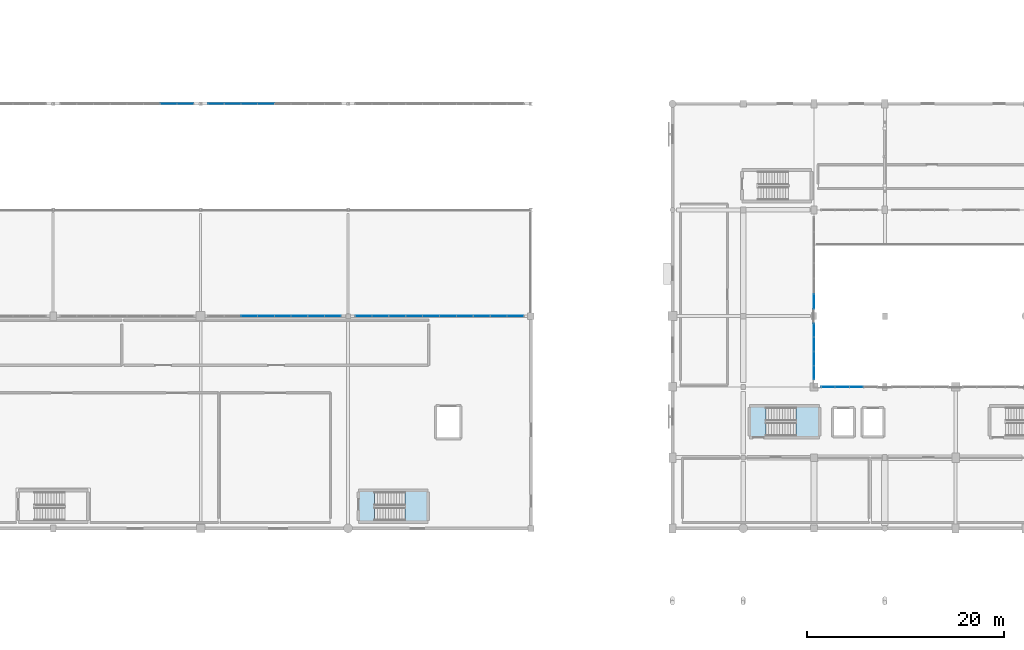
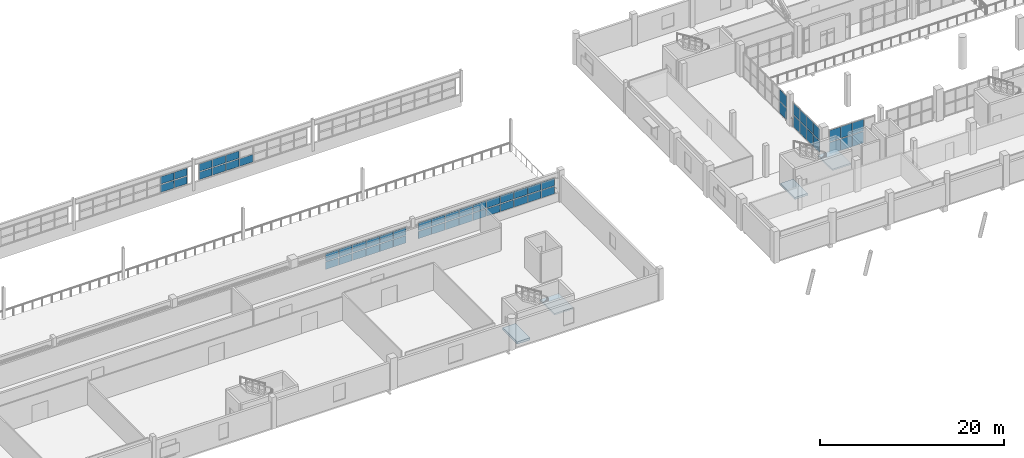
# One storey, part 53 of 92: 59 plates, 4 slabs, 9 elements without a shape of their own.
"""IFC4 building model written with IfcOpenShell, lengths in metres."""

from ifc_helpers import new_model, si_unit, direction, frame, origin, origin_2d, place, context, subcontext, project, spatial, polyline, rectangle, outline, extrude, material, layer, layer_set, type_object, element, aggregate, save


model = new_model("IFC4")

# Units and contexts
model_context = context("Model", 3, precision=1e-05, world=origin(), true_north=direction((0.0, 1.0)))
body_context = subcontext(model_context, "Body", "Model", "MODEL_VIEW")
ifc_project = project(units=[si_unit("LENGTHUNIT", "METRE"), si_unit("AREAUNIT", "SQUARE_METRE"), si_unit("VOLUMEUNIT", "CUBIC_METRE"), si_unit("PLANEANGLEUNIT", "RADIAN"), si_unit("MASSUNIT", "GRAM", prefix="KILO")], contexts=[model_context])

# Site, building, storey
site_placement = place(None, origin())
site = spatial("IfcSite", under=ifc_project, at=site_placement, CompositionType="ELEMENT")
building_placement = place(site_placement, origin())
building = spatial("IfcBuilding", under=site, at=building_placement, Name="Solanera Park Tramway Depot", CompositionType="ELEMENT")
storey_placement = place(building_placement, frame((0.0, 0.0, 4.800048828125)))
storey = spatial("IfcBuildingStorey", under=building, at=storey_placement, Name="L01", CompositionType="ELEMENT", Elevation=4.800048828125)

# Curtain wall, plates
ifc_material_1 = material(Name="Bronze-anodised thermally broken aluminium curtain wall", Category="aluminium")
curtain_wall_type_1 = type_object("IfcCurtainWallType", Name="Courtyard Cloister Unitised Curtain Wall", PredefinedType="NOTDEFINED", material=ifc_material_1)
curtain_wall_1_placement = place(storey_placement, origin())
curtain_wall_1 = element("IfcCurtainWall", 1, at=curtain_wall_1_placement, inside=storey, type_object=curtain_wall_type_1, Name="L01 Courtyard Cloister Unitised Curtain Wall #088", PredefinedType="NOTDEFINED")
ifc_material_2 = material(Name="Low-E laminated solar-control double glazing", Category="glass")
ifc_layer_1 = layer(ifc_material_2, 0.028076171875)
ifc_layer_set_1 = layer_set([ifc_layer_1], Name="Low-E laminated solar-control double glazing")
plate_type = type_object("IfcPlateType", Name="Curtain Wall Double Glazing Panel 28", PredefinedType="CURTAIN_PANEL", material=ifc_layer_set_1)
plate_1_placement = place(storey_placement, frame((123.84130859375, 25.199951171875, 0.11181640625), z_axis=(0.0, 0.0, 1.0), x_axis=(1.0, 0.0, 0.0)))
plate_1 = element("IfcPlate", 2, at=plate_1_placement, type_object=plate_type, Name="CW-L01-088 Glazing Panel R1.C1", PredefinedType="CURTAIN_PANEL", context=body_context, shape_type="SweptSolid", body=[
    extrude(rectangle(XDim=1.365478515625, YDim=0.028076171875, at=origin_2d()), origin(), (0.0, 0.0, 1.0), 1.510986328125),
])
plate_2_placement = place(storey_placement, frame((125.27490234375, 25.199951171875, 0.11181640625), z_axis=(0.0, 0.0, 1.0), x_axis=(1.0, 0.0, 0.0)))
plate_2 = element("IfcPlate", 3, at=plate_2_placement, type_object=plate_type, Name="CW-L01-088 Glazing Panel R1.C2", PredefinedType="CURTAIN_PANEL", context=body_context, shape_type="SweptSolid", body=[
    extrude(rectangle(XDim=1.39794921875, YDim=0.028076171875, at=origin_2d()), origin(), (0.0, 0.0, 1.0), 1.510986328125),
])
plate_3_placement = place(storey_placement, frame((126.72509765625, 25.199951171875, 0.11181640625), z_axis=(0.0, 0.0, 1.0), x_axis=(1.0, 0.0, 0.0)))
plate_3 = element("IfcPlate", 4, at=plate_3_placement, type_object=plate_type, Name="CW-L01-088 Glazing Panel R1.C3", PredefinedType="CURTAIN_PANEL", context=body_context, shape_type="SweptSolid", body=[
    extrude(rectangle(XDim=1.39794921875, YDim=0.028076171875, at=origin_2d()), origin(), (0.0, 0.0, 1.0), 1.510986328125),
])
plate_4_placement = place(storey_placement, frame((123.84130859375, 25.199951171875, 1.72705078125), z_axis=(0.0, 0.0, 1.0), x_axis=(1.0, 0.0, 0.0)))
plate_4 = element("IfcPlate", 5, at=plate_4_placement, type_object=plate_type, Name="CW-L01-088 Glazing Panel R2.C1", PredefinedType="CURTAIN_PANEL", context=body_context, shape_type="SweptSolid", body=[
    extrude(rectangle(XDim=1.365478515625, YDim=0.028076171875, at=origin_2d()), origin(), (0.0, 0.0, 1.0), 1.510986328125),
])
plate_5_placement = place(storey_placement, frame((125.27490234375, 25.199951171875, 1.72705078125), z_axis=(0.0, 0.0, 1.0), x_axis=(1.0, 0.0, 0.0)))
plate_5 = element("IfcPlate", 6, at=plate_5_placement, type_object=plate_type, Name="CW-L01-088 Glazing Panel R2.C2", PredefinedType="CURTAIN_PANEL", context=body_context, shape_type="SweptSolid", body=[
    extrude(rectangle(XDim=1.39794921875, YDim=0.028076171875, at=origin_2d()), origin(), (0.0, 0.0, 1.0), 1.510986328125),
])
plate_6_placement = place(storey_placement, frame((126.72509765625, 25.199951171875, 1.72705078125), z_axis=(0.0, 0.0, 1.0), x_axis=(1.0, 0.0, 0.0)))
plate_6 = element("IfcPlate", 7, at=plate_6_placement, type_object=plate_type, Name="CW-L01-088 Glazing Panel R2.C3", PredefinedType="CURTAIN_PANEL", context=body_context, shape_type="SweptSolid", body=[
    extrude(rectangle(XDim=1.39794921875, YDim=0.028076171875, at=origin_2d()), origin(), (0.0, 0.0, 1.0), 1.510986328125),
])
aggregate(curtain_wall_1, [plate_1, plate_2, plate_3, plate_4, plate_5, plate_6])

curtain_wall_2_placement = place(storey_placement, origin())
curtain_wall_2 = element("IfcCurtainWall", 8, at=curtain_wall_2_placement, inside=storey, type_object=curtain_wall_type_1, Name="L01 Courtyard Cloister Unitised Curtain Wall #100", PredefinedType="NOTDEFINED")
plate_7_placement = place(storey_placement, frame((122.39990234375, 26.64111328125, 0.11181640625), z_axis=(0.0, 0.0, 1.0), x_axis=(0.0, 1.0, 0.0)))
plate_7 = element("IfcPlate", 9, at=plate_7_placement, type_object=plate_type, Name="CW-L01-100 Glazing Panel R1.C1", PredefinedType="CURTAIN_PANEL", context=body_context, shape_type="SweptSolid", body=[
    extrude(rectangle(XDim=1.365478515625, YDim=0.028076171875, at=origin_2d()), origin(), (0.0, 0.0, 1.0), 1.510986328125),
])
plate_8_placement = place(storey_placement, frame((122.39990234375, 28.074951171875, 0.11181640625), z_axis=(0.0, 0.0, 1.0), x_axis=(0.0, 1.0, 0.0)))
plate_8 = element("IfcPlate", 10, at=plate_8_placement, type_object=plate_type, Name="CW-L01-100 Glazing Panel R1.C2", PredefinedType="CURTAIN_PANEL", context=body_context, shape_type="SweptSolid", body=[
    extrude(rectangle(XDim=1.39794921875, YDim=0.028076171875, at=origin_2d()), origin(), (0.0, 0.0, 1.0), 1.510986328125),
])
plate_9_placement = place(storey_placement, frame((122.39990234375, 29.52490234375, 0.11181640625), z_axis=(0.0, 0.0, 1.0), x_axis=(0.0, 1.0, 0.0)))
plate_9 = element("IfcPlate", 11, at=plate_9_placement, type_object=plate_type, Name="CW-L01-100 Glazing Panel R1.C3", PredefinedType="CURTAIN_PANEL", context=body_context, shape_type="SweptSolid", body=[
    extrude(rectangle(XDim=1.39794921875, YDim=0.028076171875, at=origin_2d()), origin(), (0.0, 0.0, 1.0), 1.510986328125),
])
plate_10_placement = place(storey_placement, frame((122.39990234375, 30.958740234375, 0.11181640625), z_axis=(0.0, 0.0, 1.0), x_axis=(0.0, 1.0, 0.0)))
plate_10 = element("IfcPlate", 12, at=plate_10_placement, type_object=plate_type, Name="CW-L01-100 Glazing Panel R1.C4", PredefinedType="CURTAIN_PANEL", context=body_context, shape_type="SweptSolid", body=[
    extrude(rectangle(XDim=1.365478515625, YDim=0.028076171875, at=origin_2d()), origin(), (0.0, 0.0, 1.0), 1.510986328125),
])
plate_11_placement = place(storey_placement, frame((122.39990234375, 26.64111328125, 1.72705078125), z_axis=(0.0, 0.0, 1.0), x_axis=(0.0, 1.0, 0.0)))
plate_11 = element("IfcPlate", 13, at=plate_11_placement, type_object=plate_type, Name="CW-L01-100 Glazing Panel R2.C1", PredefinedType="CURTAIN_PANEL", context=body_context, shape_type="SweptSolid", body=[
    extrude(rectangle(XDim=1.365478515625, YDim=0.028076171875, at=origin_2d()), origin(), (0.0, 0.0, 1.0), 1.510986328125),
])
plate_12_placement = place(storey_placement, frame((122.39990234375, 28.074951171875, 1.72705078125), z_axis=(0.0, 0.0, 1.0), x_axis=(0.0, 1.0, 0.0)))
plate_12 = element("IfcPlate", 14, at=plate_12_placement, type_object=plate_type, Name="CW-L01-100 Glazing Panel R2.C2", PredefinedType="CURTAIN_PANEL", context=body_context, shape_type="SweptSolid", body=[
    extrude(rectangle(XDim=1.39794921875, YDim=0.028076171875, at=origin_2d()), origin(), (0.0, 0.0, 1.0), 1.510986328125),
])
plate_13_placement = place(storey_placement, frame((122.39990234375, 29.52490234375, 1.72705078125), z_axis=(0.0, 0.0, 1.0), x_axis=(0.0, 1.0, 0.0)))
plate_13 = element("IfcPlate", 15, at=plate_13_placement, type_object=plate_type, Name="CW-L01-100 Glazing Panel R2.C3", PredefinedType="CURTAIN_PANEL", context=body_context, shape_type="SweptSolid", body=[
    extrude(rectangle(XDim=1.39794921875, YDim=0.028076171875, at=origin_2d()), origin(), (0.0, 0.0, 1.0), 1.510986328125),
])
plate_14_placement = place(storey_placement, frame((122.39990234375, 30.958740234375, 1.72705078125), z_axis=(0.0, 0.0, 1.0), x_axis=(0.0, 1.0, 0.0)))
plate_14 = element("IfcPlate", 16, at=plate_14_placement, type_object=plate_type, Name="CW-L01-100 Glazing Panel R2.C4", PredefinedType="CURTAIN_PANEL", context=body_context, shape_type="SweptSolid", body=[
    extrude(rectangle(XDim=1.365478515625, YDim=0.028076171875, at=origin_2d()), origin(), (0.0, 0.0, 1.0), 1.510986328125),
])
aggregate(curtain_wall_2, [plate_7, plate_8, plate_9, plate_10, plate_11, plate_12, plate_13, plate_14])

curtain_wall_3_placement = place(storey_placement, origin())
curtain_wall_3 = element("IfcCurtainWall", 17, at=curtain_wall_3_placement, inside=storey, type_object=curtain_wall_type_1, Name="L01 Courtyard Cloister Unitised Curtain Wall #102", PredefinedType="NOTDEFINED")
plate_15_placement = place(storey_placement, frame((122.39990234375, 33.899658203125, 0.11181640625), z_axis=(0.0, 0.0, 1.0), x_axis=(0.0, 1.0, 0.0)))
plate_15 = element("IfcPlate", 18, at=plate_15_placement, type_object=plate_type, Name="CW-L01-102 Glazing Panel R1.C1", PredefinedType="CURTAIN_PANEL", context=body_context, shape_type="SweptSolid", body=[
    extrude(rectangle(XDim=1.482177734375, YDim=0.028076171875, at=origin_2d()), origin(), (0.0, 0.0, 1.0), 1.510986328125),
])
plate_16_placement = place(storey_placement, frame((122.39990234375, 33.899658203125, 1.72705078125), z_axis=(0.0, 0.0, 1.0), x_axis=(0.0, 1.0, 0.0)))
plate_16 = element("IfcPlate", 19, at=plate_16_placement, type_object=plate_type, Name="CW-L01-102 Glazing Panel R2.C1", PredefinedType="CURTAIN_PANEL", context=body_context, shape_type="SweptSolid", body=[
    extrude(rectangle(XDim=1.482177734375, YDim=0.028076171875, at=origin_2d()), origin(), (0.0, 0.0, 1.0), 1.510986328125),
])
aggregate(curtain_wall_3, [plate_15, plate_16])

ifc_material_3 = material(Name="Bronze-anodised thermally broken aluminium curtain wall", Category="aluminium")
curtain_wall_type_2 = type_object("IfcCurtainWallType", Name="Workshop Daylight Ribbon Curtain Wall", PredefinedType="NOTDEFINED", material=ifc_material_3)
curtain_wall_4_placement = place(storey_placement, origin())
curtain_wall_4 = element("IfcCurtainWall", 20, at=curtain_wall_4_placement, inside=storey, type_object=curtain_wall_type_2, Name="L01 Workshop Daylight Ribbon Curtain Wall #146", PredefinedType="NOTDEFINED")
plate_17_placement = place(storey_placement, frame((58.43359375, 54.0, 1.11181640625), z_axis=(0.0, 0.0, 1.0), x_axis=(-1.0, 0.0, 0.0)))
plate_17 = element("IfcPlate", 21, at=plate_17_placement, type_object=plate_type, Name="CW-L01-146 Glazing Panel R1.C1", PredefinedType="CURTAIN_PANEL", context=body_context, shape_type="SweptSolid", body=[
    extrude(rectangle(XDim=1.615478515625, YDim=0.028076171875, at=origin_2d()), origin(), (0.0, 0.0, 1.0), 0.986083984375),
])
plate_18_placement = place(storey_placement, frame((56.75, 54.0, 1.11181640625), z_axis=(0.0, 0.0, 1.0), x_axis=(-1.0, 0.0, 0.0)))
plate_18 = element("IfcPlate", 22, at=plate_18_placement, type_object=plate_type, Name="CW-L01-146 Glazing Panel R1.C2", PredefinedType="CURTAIN_PANEL", context=body_context, shape_type="SweptSolid", body=[
    extrude(rectangle(XDim=1.64794921875, YDim=0.028076171875, at=origin_2d()), origin(), (0.0, 0.0, 1.0), 0.986083984375),
])
plate_19_placement = place(storey_placement, frame((58.43359375, 54.0, 2.2021484375), z_axis=(0.0, 0.0, 1.0), x_axis=(-1.0, 0.0, 0.0)))
plate_19 = element("IfcPlate", 23, at=plate_19_placement, type_object=plate_type, Name="CW-L01-146 Glazing Panel R2.C1", PredefinedType="CURTAIN_PANEL", context=body_context, shape_type="SweptSolid", body=[
    extrude(rectangle(XDim=1.615478515625, YDim=0.028076171875, at=origin_2d()), origin(), (0.0, 0.0, 1.0), 0.986083984375),
])
plate_20_placement = place(storey_placement, frame((56.75, 54.0, 2.2021484375), z_axis=(0.0, 0.0, 1.0), x_axis=(-1.0, 0.0, 0.0)))
plate_20 = element("IfcPlate", 24, at=plate_20_placement, type_object=plate_type, Name="CW-L01-146 Glazing Panel R2.C2", PredefinedType="CURTAIN_PANEL", context=body_context, shape_type="SweptSolid", body=[
    extrude(rectangle(XDim=1.64794921875, YDim=0.028076171875, at=origin_2d()), origin(), (0.0, 0.0, 1.0), 0.986083984375),
])
aggregate(curtain_wall_4, [plate_17, plate_18, plate_19, plate_20])

curtain_wall_5_placement = place(storey_placement, origin())
curtain_wall_5 = element("IfcCurtainWall", 25, at=curtain_wall_5_placement, inside=storey, type_object=curtain_wall_type_2, Name="L01 Workshop Daylight Ribbon Curtain Wall #148", PredefinedType="NOTDEFINED")
plate_21_placement = place(storey_placement, frame((66.64990234375, 54.0, 1.11181640625), z_axis=(0.0, 0.0, 1.0), x_axis=(-1.0, 0.0, 0.0)))
plate_21 = element("IfcPlate", 26, at=plate_21_placement, type_object=plate_type, Name="CW-L01-148 Glazing Panel R1.C5", PredefinedType="CURTAIN_PANEL", context=body_context, shape_type="SweptSolid", body=[
    extrude(rectangle(XDim=1.64794921875, YDim=0.028076171875, at=origin_2d()), origin(), (0.0, 0.0, 1.0), 0.986083984375),
])
plate_22_placement = place(storey_placement, frame((64.949951171875, 54.0, 1.11181640625), z_axis=(0.0, 0.0, 1.0), x_axis=(-1.0, 0.0, 0.0)))
plate_22 = element("IfcPlate", 27, at=plate_22_placement, type_object=plate_type, Name="CW-L01-148 Glazing Panel R1.C6", PredefinedType="CURTAIN_PANEL", context=body_context, shape_type="SweptSolid", body=[
    extrude(rectangle(XDim=1.64794921875, YDim=0.028076171875, at=origin_2d()), origin(), (0.0, 0.0, 1.0), 0.986083984375),
])
plate_23_placement = place(storey_placement, frame((63.25, 54.0, 1.11181640625), z_axis=(0.0, 0.0, 1.0), x_axis=(-1.0, 0.0, 0.0)))
plate_23 = element("IfcPlate", 28, at=plate_23_placement, type_object=plate_type, Name="CW-L01-148 Glazing Panel R1.C7", PredefinedType="CURTAIN_PANEL", context=body_context, shape_type="SweptSolid", body=[
    extrude(rectangle(XDim=1.64794921875, YDim=0.028076171875, at=origin_2d()), origin(), (0.0, 0.0, 1.0), 0.986083984375),
])
plate_24_placement = place(storey_placement, frame((61.56640625, 54.0, 1.11181640625), z_axis=(0.0, 0.0, 1.0), x_axis=(-1.0, 0.0, 0.0)))
plate_24 = element("IfcPlate", 29, at=plate_24_placement, type_object=plate_type, Name="CW-L01-148 Glazing Panel R1.C8", PredefinedType="CURTAIN_PANEL", context=body_context, shape_type="SweptSolid", body=[
    extrude(rectangle(XDim=1.615478515625, YDim=0.028076171875, at=origin_2d()), origin(), (0.0, 0.0, 1.0), 0.986083984375),
])
plate_25_placement = place(storey_placement, frame((64.949951171875, 54.0, 2.2021484375), z_axis=(0.0, 0.0, 1.0), x_axis=(-1.0, 0.0, 0.0)))
plate_25 = element("IfcPlate", 30, at=plate_25_placement, type_object=plate_type, Name="CW-L01-148 Glazing Panel R2.C6", PredefinedType="CURTAIN_PANEL", context=body_context, shape_type="SweptSolid", body=[
    extrude(rectangle(XDim=1.64794921875, YDim=0.028076171875, at=origin_2d()), origin(), (0.0, 0.0, 1.0), 0.986083984375),
])
plate_26_placement = place(storey_placement, frame((63.25, 54.0, 2.2021484375), z_axis=(0.0, 0.0, 1.0), x_axis=(-1.0, 0.0, 0.0)))
plate_26 = element("IfcPlate", 31, at=plate_26_placement, type_object=plate_type, Name="CW-L01-148 Glazing Panel R2.C7", PredefinedType="CURTAIN_PANEL", context=body_context, shape_type="SweptSolid", body=[
    extrude(rectangle(XDim=1.64794921875, YDim=0.028076171875, at=origin_2d()), origin(), (0.0, 0.0, 1.0), 0.986083984375),
])
plate_27_placement = place(storey_placement, frame((61.56640625, 54.0, 2.2021484375), z_axis=(0.0, 0.0, 1.0), x_axis=(-1.0, 0.0, 0.0)))
plate_27 = element("IfcPlate", 32, at=plate_27_placement, type_object=plate_type, Name="CW-L01-148 Glazing Panel R2.C8", PredefinedType="CURTAIN_PANEL", context=body_context, shape_type="SweptSolid", body=[
    extrude(rectangle(XDim=1.615478515625, YDim=0.028076171875, at=origin_2d()), origin(), (0.0, 0.0, 1.0), 0.986083984375),
])
aggregate(curtain_wall_5, [plate_21, plate_22, plate_23, plate_24, plate_25, plate_26, plate_27])

curtain_wall_6_placement = place(storey_placement, origin())
curtain_wall_6 = element("IfcCurtainWall", 33, at=curtain_wall_6_placement, inside=storey, type_object=curtain_wall_type_2, Name="L01 Workshop Daylight Ribbon Curtain Wall #149", PredefinedType="NOTDEFINED")
plate_28_placement = place(storey_placement, frame((64.949951171875, 32.39990234375, 1.11181640625), z_axis=(0.0, 0.0, 1.0), x_axis=(1.0, 0.0, 0.0)))
plate_28 = element("IfcPlate", 34, at=plate_28_placement, type_object=plate_type, Name="CW-L01-149 Glazing Panel R1.C3", PredefinedType="CURTAIN_PANEL", context=body_context, shape_type="SweptSolid", body=[
    extrude(rectangle(XDim=1.64794921875, YDim=0.028076171875, at=origin_2d()), origin(), (0.0, 0.0, 1.0), 0.986083984375),
])
plate_29_placement = place(storey_placement, frame((66.64990234375, 32.39990234375, 1.11181640625), z_axis=(0.0, 0.0, 1.0), x_axis=(1.0, 0.0, 0.0)))
plate_29 = element("IfcPlate", 35, at=plate_29_placement, type_object=plate_type, Name="CW-L01-149 Glazing Panel R1.C4", PredefinedType="CURTAIN_PANEL", context=body_context, shape_type="SweptSolid", body=[
    extrude(rectangle(XDim=1.64794921875, YDim=0.028076171875, at=origin_2d()), origin(), (0.0, 0.0, 1.0), 0.986083984375),
])
plate_30_placement = place(storey_placement, frame((68.35009765625, 32.39990234375, 1.11181640625), z_axis=(0.0, 0.0, 1.0), x_axis=(1.0, 0.0, 0.0)))
plate_30 = element("IfcPlate", 36, at=plate_30_placement, type_object=plate_type, Name="CW-L01-149 Glazing Panel R1.C5", PredefinedType="CURTAIN_PANEL", context=body_context, shape_type="SweptSolid", body=[
    extrude(rectangle(XDim=1.64794921875, YDim=0.028076171875, at=origin_2d()), origin(), (0.0, 0.0, 1.0), 0.986083984375),
])
plate_31_placement = place(storey_placement, frame((70.050048828125, 32.39990234375, 1.11181640625), z_axis=(0.0, 0.0, 1.0), x_axis=(1.0, 0.0, 0.0)))
plate_31 = element("IfcPlate", 37, at=plate_31_placement, type_object=plate_type, Name="CW-L01-149 Glazing Panel R1.C6", PredefinedType="CURTAIN_PANEL", context=body_context, shape_type="SweptSolid", body=[
    extrude(rectangle(XDim=1.64794921875, YDim=0.028076171875, at=origin_2d()), origin(), (0.0, 0.0, 1.0), 0.986083984375),
])
plate_32_placement = place(storey_placement, frame((71.75, 32.39990234375, 1.11181640625), z_axis=(0.0, 0.0, 1.0), x_axis=(1.0, 0.0, 0.0)))
plate_32 = element("IfcPlate", 38, at=plate_32_placement, type_object=plate_type, Name="CW-L01-149 Glazing Panel R1.C7", PredefinedType="CURTAIN_PANEL", context=body_context, shape_type="SweptSolid", body=[
    extrude(rectangle(XDim=1.64794921875, YDim=0.028076171875, at=origin_2d()), origin(), (0.0, 0.0, 1.0), 0.986083984375),
])
plate_33_placement = place(storey_placement, frame((73.433837890625, 32.39990234375, 1.11181640625), z_axis=(0.0, 0.0, 1.0), x_axis=(1.0, 0.0, 0.0)))
plate_33 = element("IfcPlate", 39, at=plate_33_placement, type_object=plate_type, Name="CW-L01-149 Glazing Panel R1.C8", PredefinedType="CURTAIN_PANEL", context=body_context, shape_type="SweptSolid", body=[
    extrude(rectangle(XDim=1.615478515625, YDim=0.028076171875, at=origin_2d()), origin(), (0.0, 0.0, 1.0), 0.986083984375),
])
plate_34_placement = place(storey_placement, frame((64.949951171875, 32.39990234375, 2.2021484375), z_axis=(0.0, 0.0, 1.0), x_axis=(1.0, 0.0, 0.0)))
plate_34 = element("IfcPlate", 40, at=plate_34_placement, type_object=plate_type, Name="CW-L01-149 Glazing Panel R2.C3", PredefinedType="CURTAIN_PANEL", context=body_context, shape_type="SweptSolid", body=[
    extrude(rectangle(XDim=1.64794921875, YDim=0.028076171875, at=origin_2d()), origin(), (0.0, 0.0, 1.0), 0.986083984375),
])
plate_35_placement = place(storey_placement, frame((66.64990234375, 32.39990234375, 2.2021484375), z_axis=(0.0, 0.0, 1.0), x_axis=(1.0, 0.0, 0.0)))
plate_35 = element("IfcPlate", 41, at=plate_35_placement, type_object=plate_type, Name="CW-L01-149 Glazing Panel R2.C4", PredefinedType="CURTAIN_PANEL", context=body_context, shape_type="SweptSolid", body=[
    extrude(rectangle(XDim=1.64794921875, YDim=0.028076171875, at=origin_2d()), origin(), (0.0, 0.0, 1.0), 0.986083984375),
])
plate_36_placement = place(storey_placement, frame((68.35009765625, 32.39990234375, 2.2021484375), z_axis=(0.0, 0.0, 1.0), x_axis=(1.0, 0.0, 0.0)))
plate_36 = element("IfcPlate", 42, at=plate_36_placement, type_object=plate_type, Name="CW-L01-149 Glazing Panel R2.C5", PredefinedType="CURTAIN_PANEL", context=body_context, shape_type="SweptSolid", body=[
    extrude(rectangle(XDim=1.64794921875, YDim=0.028076171875, at=origin_2d()), origin(), (0.0, 0.0, 1.0), 0.986083984375),
])
plate_37_placement = place(storey_placement, frame((70.050048828125, 32.39990234375, 2.2021484375), z_axis=(0.0, 0.0, 1.0), x_axis=(1.0, 0.0, 0.0)))
plate_37 = element("IfcPlate", 43, at=plate_37_placement, type_object=plate_type, Name="CW-L01-149 Glazing Panel R2.C6", PredefinedType="CURTAIN_PANEL", context=body_context, shape_type="SweptSolid", body=[
    extrude(rectangle(XDim=1.64794921875, YDim=0.028076171875, at=origin_2d()), origin(), (0.0, 0.0, 1.0), 0.986083984375),
])
plate_38_placement = place(storey_placement, frame((71.75, 32.39990234375, 2.2021484375), z_axis=(0.0, 0.0, 1.0), x_axis=(1.0, 0.0, 0.0)))
plate_38 = element("IfcPlate", 44, at=plate_38_placement, type_object=plate_type, Name="CW-L01-149 Glazing Panel R2.C7", PredefinedType="CURTAIN_PANEL", context=body_context, shape_type="SweptSolid", body=[
    extrude(rectangle(XDim=1.64794921875, YDim=0.028076171875, at=origin_2d()), origin(), (0.0, 0.0, 1.0), 0.986083984375),
])
plate_39_placement = place(storey_placement, frame((73.433837890625, 32.39990234375, 2.2021484375), z_axis=(0.0, 0.0, 1.0), x_axis=(1.0, 0.0, 0.0)))
plate_39 = element("IfcPlate", 45, at=plate_39_placement, type_object=plate_type, Name="CW-L01-149 Glazing Panel R2.C8", PredefinedType="CURTAIN_PANEL", context=body_context, shape_type="SweptSolid", body=[
    extrude(rectangle(XDim=1.615478515625, YDim=0.028076171875, at=origin_2d()), origin(), (0.0, 0.0, 1.0), 0.986083984375),
])
aggregate(curtain_wall_6, [plate_28, plate_29, plate_30, plate_31, plate_32, plate_33, plate_34, plate_35, plate_36, plate_37, plate_38, plate_39])

curtain_wall_7_placement = place(storey_placement, origin())
curtain_wall_7 = element("IfcCurtainWall", 46, at=curtain_wall_7_placement, inside=storey, type_object=curtain_wall_type_2, Name="L01 Workshop Daylight Ribbon Curtain Wall #151", PredefinedType="NOTDEFINED")
plate_40_placement = place(storey_placement, frame((76.576416015625, 32.39990234375, 1.11181640625), z_axis=(0.0, 0.0, 1.0), x_axis=(1.0, 0.0, 0.0)))
plate_40 = element("IfcPlate", 47, at=plate_40_placement, type_object=plate_type, Name="CW-L01-151 Glazing Panel R1.C1", PredefinedType="CURTAIN_PANEL", context=body_context, shape_type="SweptSolid", body=[
    extrude(rectangle(XDim=1.635498046875, YDim=0.028076171875, at=origin_2d()), origin(), (0.0, 0.0, 1.0), 0.986083984375),
])
plate_41_placement = place(storey_placement, frame((78.280029296875, 32.39990234375, 1.11181640625), z_axis=(0.0, 0.0, 1.0), x_axis=(1.0, 0.0, 0.0)))
plate_41 = element("IfcPlate", 48, at=plate_41_placement, type_object=plate_type, Name="CW-L01-151 Glazing Panel R1.C2", PredefinedType="CURTAIN_PANEL", context=body_context, shape_type="SweptSolid", body=[
    extrude(rectangle(XDim=1.66796875, YDim=0.028076171875, at=origin_2d()), origin(), (0.0, 0.0, 1.0), 0.986083984375),
])
plate_42_placement = place(storey_placement, frame((80.0, 32.39990234375, 1.11181640625), z_axis=(0.0, 0.0, 1.0), x_axis=(1.0, 0.0, 0.0)))
plate_42 = element("IfcPlate", 49, at=plate_42_placement, type_object=plate_type, Name="CW-L01-151 Glazing Panel R1.C3", PredefinedType="CURTAIN_PANEL", context=body_context, shape_type="SweptSolid", body=[
    extrude(rectangle(XDim=1.66796875, YDim=0.028076171875, at=origin_2d()), origin(), (0.0, 0.0, 1.0), 0.986083984375),
])
plate_43_placement = place(storey_placement, frame((81.719970703125, 32.39990234375, 1.11181640625), z_axis=(0.0, 0.0, 1.0), x_axis=(1.0, 0.0, 0.0)))
plate_43 = element("IfcPlate", 50, at=plate_43_placement, type_object=plate_type, Name="CW-L01-151 Glazing Panel R1.C4", PredefinedType="CURTAIN_PANEL", context=body_context, shape_type="SweptSolid", body=[
    extrude(rectangle(XDim=1.66796875, YDim=0.028076171875, at=origin_2d()), origin(), (0.0, 0.0, 1.0), 0.986083984375),
])
plate_44_placement = place(storey_placement, frame((83.43994140625, 32.39990234375, 1.11181640625), z_axis=(0.0, 0.0, 1.0), x_axis=(1.0, 0.0, 0.0)))
plate_44 = element("IfcPlate", 51, at=plate_44_placement, type_object=plate_type, Name="CW-L01-151 Glazing Panel R1.C5", PredefinedType="CURTAIN_PANEL", context=body_context, shape_type="SweptSolid", body=[
    extrude(rectangle(XDim=1.66796875, YDim=0.028076171875, at=origin_2d()), origin(), (0.0, 0.0, 1.0), 0.986083984375),
])
plate_45_placement = place(storey_placement, frame((85.159912109375, 32.39990234375, 1.11181640625), z_axis=(0.0, 0.0, 1.0), x_axis=(1.0, 0.0, 0.0)))
plate_45 = element("IfcPlate", 52, at=plate_45_placement, type_object=plate_type, Name="CW-L01-151 Glazing Panel R1.C6", PredefinedType="CURTAIN_PANEL", context=body_context, shape_type="SweptSolid", body=[
    extrude(rectangle(XDim=1.66796875, YDim=0.028076171875, at=origin_2d()), origin(), (0.0, 0.0, 1.0), 0.986083984375),
])
plate_46_placement = place(storey_placement, frame((86.8798828125, 32.39990234375, 1.11181640625), z_axis=(0.0, 0.0, 1.0), x_axis=(1.0, 0.0, 0.0)))
plate_46 = element("IfcPlate", 53, at=plate_46_placement, type_object=plate_type, Name="CW-L01-151 Glazing Panel R1.C7", PredefinedType="CURTAIN_PANEL", context=body_context, shape_type="SweptSolid", body=[
    extrude(rectangle(XDim=1.66796875, YDim=0.028076171875, at=origin_2d()), origin(), (0.0, 0.0, 1.0), 0.986083984375),
])
plate_47_placement = place(storey_placement, frame((88.60009765625, 32.39990234375, 1.11181640625), z_axis=(0.0, 0.0, 1.0), x_axis=(1.0, 0.0, 0.0)))
plate_47 = element("IfcPlate", 54, at=plate_47_placement, type_object=plate_type, Name="CW-L01-151 Glazing Panel R1.C8", PredefinedType="CURTAIN_PANEL", context=body_context, shape_type="SweptSolid", body=[
    extrude(rectangle(XDim=1.66796875, YDim=0.028076171875, at=origin_2d()), origin(), (0.0, 0.0, 1.0), 0.986083984375),
])
plate_48_placement = place(storey_placement, frame((90.320068359375, 32.39990234375, 1.11181640625), z_axis=(0.0, 0.0, 1.0), x_axis=(1.0, 0.0, 0.0)))
plate_48 = element("IfcPlate", 55, at=plate_48_placement, type_object=plate_type, Name="CW-L01-151 Glazing Panel R1.C9", PredefinedType="CURTAIN_PANEL", context=body_context, shape_type="SweptSolid", body=[
    extrude(rectangle(XDim=1.66796875, YDim=0.028076171875, at=origin_2d()), origin(), (0.0, 0.0, 1.0), 0.986083984375),
])
plate_49_placement = place(storey_placement, frame((92.023681640625, 32.39990234375, 1.11181640625), z_axis=(0.0, 0.0, 1.0), x_axis=(1.0, 0.0, 0.0)))
plate_49 = element("IfcPlate", 56, at=plate_49_placement, type_object=plate_type, Name="CW-L01-151 Glazing Panel R1.C10", PredefinedType="CURTAIN_PANEL", context=body_context, shape_type="SweptSolid", body=[
    extrude(rectangle(XDim=1.635498046875, YDim=0.028076171875, at=origin_2d()), origin(), (0.0, 0.0, 1.0), 0.986083984375),
])
plate_50_placement = place(storey_placement, frame((76.576416015625, 32.39990234375, 2.2021484375), z_axis=(0.0, 0.0, 1.0), x_axis=(1.0, 0.0, 0.0)))
plate_50 = element("IfcPlate", 57, at=plate_50_placement, type_object=plate_type, Name="CW-L01-151 Glazing Panel R2.C1", PredefinedType="CURTAIN_PANEL", context=body_context, shape_type="SweptSolid", body=[
    extrude(rectangle(XDim=1.635498046875, YDim=0.028076171875, at=origin_2d()), origin(), (0.0, 0.0, 1.0), 0.986083984375),
])
plate_51_placement = place(storey_placement, frame((78.280029296875, 32.39990234375, 2.2021484375), z_axis=(0.0, 0.0, 1.0), x_axis=(1.0, 0.0, 0.0)))
plate_51 = element("IfcPlate", 58, at=plate_51_placement, type_object=plate_type, Name="CW-L01-151 Glazing Panel R2.C2", PredefinedType="CURTAIN_PANEL", context=body_context, shape_type="SweptSolid", body=[
    extrude(rectangle(XDim=1.66796875, YDim=0.028076171875, at=origin_2d()), origin(), (0.0, 0.0, 1.0), 0.986083984375),
])
plate_52_placement = place(storey_placement, frame((80.0, 32.39990234375, 2.2021484375), z_axis=(0.0, 0.0, 1.0), x_axis=(1.0, 0.0, 0.0)))
plate_52 = element("IfcPlate", 59, at=plate_52_placement, type_object=plate_type, Name="CW-L01-151 Glazing Panel R2.C3", PredefinedType="CURTAIN_PANEL", context=body_context, shape_type="SweptSolid", body=[
    extrude(rectangle(XDim=1.66796875, YDim=0.028076171875, at=origin_2d()), origin(), (0.0, 0.0, 1.0), 0.986083984375),
])
plate_53_placement = place(storey_placement, frame((81.719970703125, 32.39990234375, 2.2021484375), z_axis=(0.0, 0.0, 1.0), x_axis=(1.0, 0.0, 0.0)))
plate_53 = element("IfcPlate", 60, at=plate_53_placement, type_object=plate_type, Name="CW-L01-151 Glazing Panel R2.C4", PredefinedType="CURTAIN_PANEL", context=body_context, shape_type="SweptSolid", body=[
    extrude(rectangle(XDim=1.66796875, YDim=0.028076171875, at=origin_2d()), origin(), (0.0, 0.0, 1.0), 0.986083984375),
])
plate_54_placement = place(storey_placement, frame((83.43994140625, 32.39990234375, 2.2021484375), z_axis=(0.0, 0.0, 1.0), x_axis=(1.0, 0.0, 0.0)))
plate_54 = element("IfcPlate", 61, at=plate_54_placement, type_object=plate_type, Name="CW-L01-151 Glazing Panel R2.C5", PredefinedType="CURTAIN_PANEL", context=body_context, shape_type="SweptSolid", body=[
    extrude(rectangle(XDim=1.66796875, YDim=0.028076171875, at=origin_2d()), origin(), (0.0, 0.0, 1.0), 0.986083984375),
])
plate_55_placement = place(storey_placement, frame((85.159912109375, 32.39990234375, 2.2021484375), z_axis=(0.0, 0.0, 1.0), x_axis=(1.0, 0.0, 0.0)))
plate_55 = element("IfcPlate", 62, at=plate_55_placement, type_object=plate_type, Name="CW-L01-151 Glazing Panel R2.C6", PredefinedType="CURTAIN_PANEL", context=body_context, shape_type="SweptSolid", body=[
    extrude(rectangle(XDim=1.66796875, YDim=0.028076171875, at=origin_2d()), origin(), (0.0, 0.0, 1.0), 0.986083984375),
])
plate_56_placement = place(storey_placement, frame((86.8798828125, 32.39990234375, 2.2021484375), z_axis=(0.0, 0.0, 1.0), x_axis=(1.0, 0.0, 0.0)))
plate_56 = element("IfcPlate", 63, at=plate_56_placement, type_object=plate_type, Name="CW-L01-151 Glazing Panel R2.C7", PredefinedType="CURTAIN_PANEL", context=body_context, shape_type="SweptSolid", body=[
    extrude(rectangle(XDim=1.66796875, YDim=0.028076171875, at=origin_2d()), origin(), (0.0, 0.0, 1.0), 0.986083984375),
])
plate_57_placement = place(storey_placement, frame((88.60009765625, 32.39990234375, 2.2021484375), z_axis=(0.0, 0.0, 1.0), x_axis=(1.0, 0.0, 0.0)))
plate_57 = element("IfcPlate", 64, at=plate_57_placement, type_object=plate_type, Name="CW-L01-151 Glazing Panel R2.C8", PredefinedType="CURTAIN_PANEL", context=body_context, shape_type="SweptSolid", body=[
    extrude(rectangle(XDim=1.66796875, YDim=0.028076171875, at=origin_2d()), origin(), (0.0, 0.0, 1.0), 0.986083984375),
])
plate_58_placement = place(storey_placement, frame((90.320068359375, 32.39990234375, 2.2021484375), z_axis=(0.0, 0.0, 1.0), x_axis=(1.0, 0.0, 0.0)))
plate_58 = element("IfcPlate", 65, at=plate_58_placement, type_object=plate_type, Name="CW-L01-151 Glazing Panel R2.C9", PredefinedType="CURTAIN_PANEL", context=body_context, shape_type="SweptSolid", body=[
    extrude(rectangle(XDim=1.66796875, YDim=0.028076171875, at=origin_2d()), origin(), (0.0, 0.0, 1.0), 0.986083984375),
])
plate_59_placement = place(storey_placement, frame((92.023681640625, 32.39990234375, 2.2021484375), z_axis=(0.0, 0.0, 1.0), x_axis=(1.0, 0.0, 0.0)))
plate_59 = element("IfcPlate", 66, at=plate_59_placement, type_object=plate_type, Name="CW-L01-151 Glazing Panel R2.C10", PredefinedType="CURTAIN_PANEL", context=body_context, shape_type="SweptSolid", body=[
    extrude(rectangle(XDim=1.635498046875, YDim=0.028076171875, at=origin_2d()), origin(), (0.0, 0.0, 1.0), 0.986083984375),
])
aggregate(curtain_wall_7, [plate_40, plate_41, plate_42, plate_43, plate_44, plate_45, plate_46, plate_47, plate_48, plate_49, plate_50, plate_51, plate_52, plate_53, plate_54, plate_55, plate_56, plate_57, plate_58, plate_59])

# Slabs
ifc_material_4 = material(Name="Concrete N40 (C40/50)", Category="concrete")
ifc_layer_2 = layer(ifc_material_4, 0.27490234375)
ifc_layer_set_2 = layer_set([ifc_layer_2], Name="Concrete N40 (C40/50)")
slab_type_1 = type_object("IfcSlabType", Name="Slab Stair Floor Landing 275", PredefinedType="LANDING", material=ifc_layer_set_2)
slab_1_placement = place(storey_placement, frame((0.0, 0.0, -0.275146484375)))
element("IfcSlab", 67, at=slab_1_placement, inside=storey, type_object=slab_type_1, Name="ST-01 L01 Floor Landing", PredefinedType="LANDING", context=body_context, shape_type="SweptSolid", body=[
    extrude(outline(polyline([(115.8798828125, 20.080078125), (117.5, 20.080078125), (117.5, 23.219970703125), (115.8798828125, 23.219970703125), (115.8798828125, 20.080078125)])), origin(), (0.0, 0.0, 1.0), 0.275146484375),
])
ifc_material_5 = material(Name="Concrete N40 (C40/50)", Category="concrete")
ifc_layer_3 = layer(ifc_material_5, 0.300048828125)
ifc_layer_set_3 = layer_set([ifc_layer_3], Name="Concrete N40 (C40/50)")
slab_type_2 = type_object("IfcSlabType", Name="Slab Stair Floor Landing 300", PredefinedType="LANDING", material=ifc_layer_set_3)
slab_2_placement = place(storey_placement, frame((0.0, 0.0, -0.300048828125)))
element("IfcSlab", 68, at=slab_2_placement, inside=storey, type_object=slab_type_2, Name="ST-09 L01 Floor Landing", PredefinedType="LANDING", context=body_context, shape_type="SweptSolid", body=[
    extrude(outline(polyline([(76.080078125, 11.47998046875), (77.699951171875, 11.47998046875), (77.699951171875, 14.6201171875), (76.080078125, 14.6201171875), (76.080078125, 11.47998046875)])), origin(), (0.0, 0.0, 1.0), 0.300048828125),
])

# Stair, slab
ifc_material_6 = material(Name="Concrete N40 (C40/50)", Category="concrete")
stair_type = type_object("IfcStairType", Name="Stair Half-Turn Dogleg 4200", PredefinedType="HALF_TURN_STAIR", material=ifc_material_6)
stair_1_placement = place(storey_placement, origin())
stair_1 = element("IfcStair", 69, at=stair_1_placement, inside=storey, type_object=stair_type, Name="ST-01 L01 Half-Turn Stair", PredefinedType="HALF_TURN_STAIR")
ifc_material_7 = material(Name="Concrete N40 (C40/50)", Category="concrete")
ifc_layer_4 = layer(ifc_material_7, 0.199951171875)
ifc_layer_set_4 = layer_set([ifc_layer_4], Name="Concrete N40 (C40/50)")
slab_type_3 = type_object("IfcSlabType", Name="Slab Stair Landing 200", PredefinedType="LANDING", material=ifc_layer_set_4)
slab_3_placement = place(storey_placement, frame((0.0, 0.0, 1.89990234375)))
slab_3 = element("IfcSlab", 70, at=slab_3_placement, type_object=slab_type_3, Name="ST-01 L01 Half-Landing 1", PredefinedType="LANDING", context=body_context, shape_type="SweptSolid", body=[
    extrude(outline(polyline([(120.580078125, 20.080078125), (122.919921875, 20.080078125), (122.919921875, 23.219970703125), (120.580078125, 23.219970703125), (120.580078125, 20.080078125)])), origin(), (0.0, 0.0, 1.0), 0.199951171875),
])
aggregate(stair_1, [slab_3])

stair_2_placement = place(storey_placement, origin())
stair_2 = element("IfcStair", 71, at=stair_2_placement, inside=storey, type_object=stair_type, Name="ST-09 L01 Half-Turn Stair", PredefinedType="HALF_TURN_STAIR")
slab_4_placement = place(storey_placement, frame((0.0, 0.0, 1.89990234375)))
slab_4 = element("IfcSlab", 72, at=slab_4_placement, type_object=slab_type_3, Name="ST-09 L01 Half-Landing 1", PredefinedType="LANDING", context=body_context, shape_type="SweptSolid", body=[
    extrude(outline(polyline([(80.780029296875, 11.47998046875), (83.1201171875, 11.47998046875), (83.1201171875, 14.6201171875), (80.780029296875, 14.6201171875), (80.780029296875, 11.47998046875)])), origin(), (0.0, 0.0, 1.0), 0.199951171875),
])
aggregate(stair_2, [slab_4])

save(model, "model.ifc")
